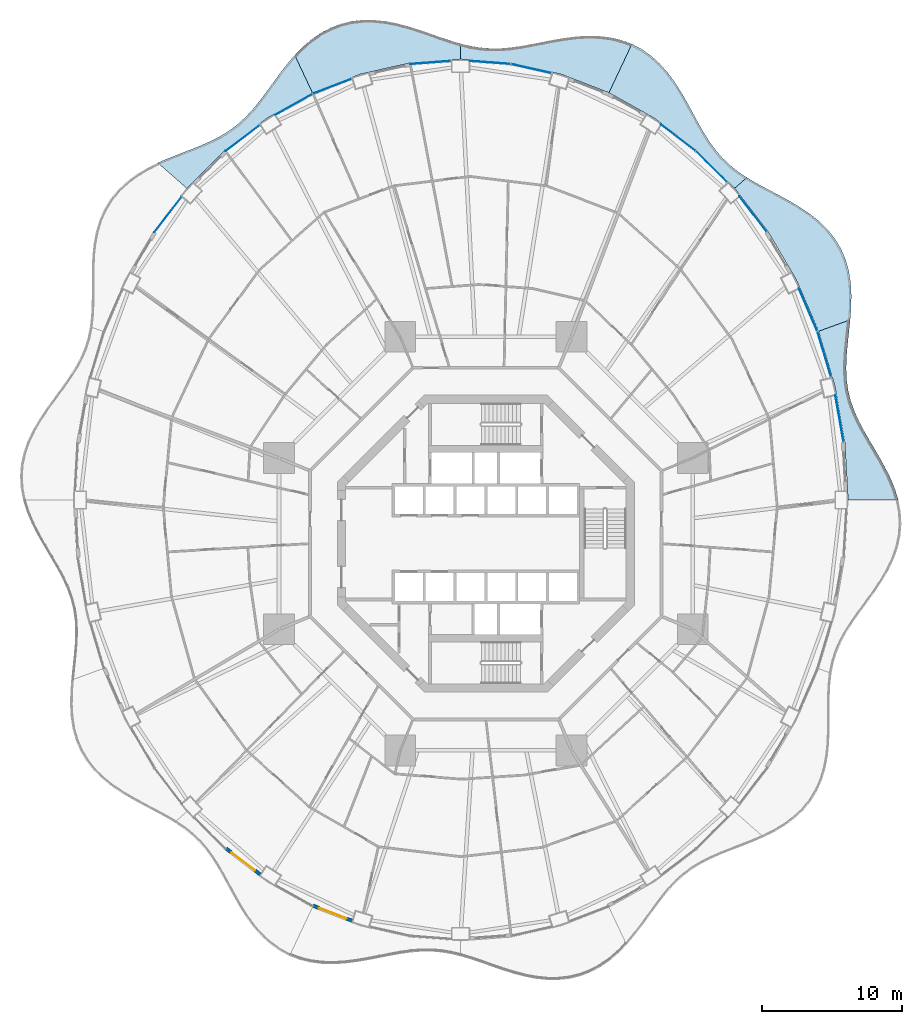
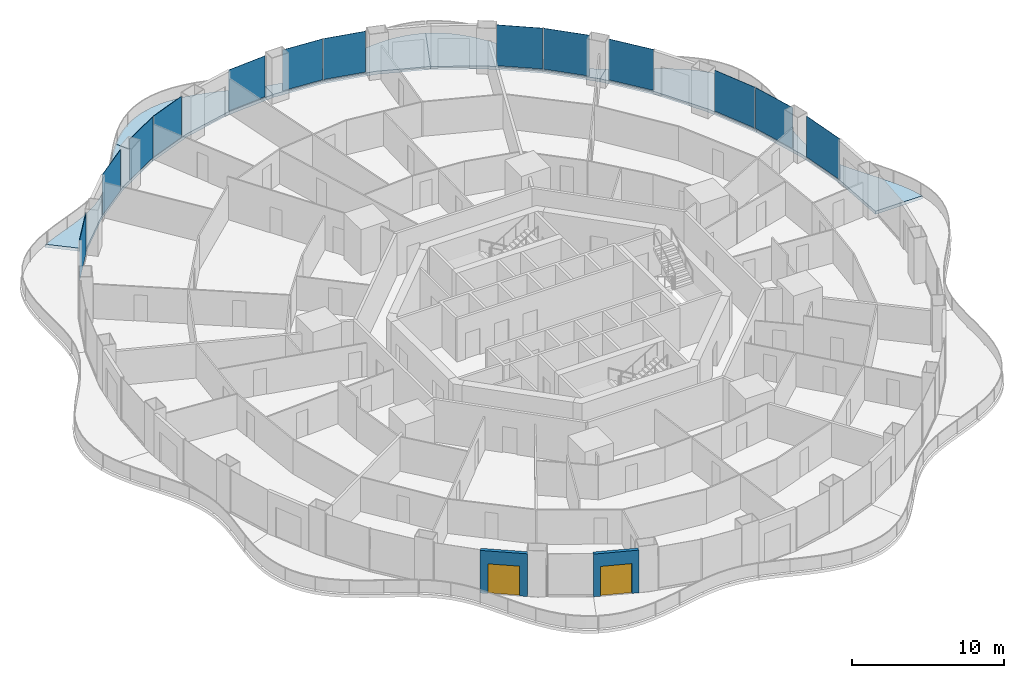
# One storey, part 13 of 22: 13 plates, 6 slabs, 2 doors, 2 walls, 2 openings, 13 elements without a shape of their own.
"""IFC4 building model written with IfcOpenShell, lengths in metres."""

from ifc_helpers import new_model, si_unit, direction, frame, frame_2d, origin, origin_2d, place, context, subcontext, project, spatial, polyline, rectangle, outline, extrude, material, layer, layer_set, type_object, element, fill, aggregate, save


model = new_model("IFC4")

# Units and contexts
model_context = context("Model", 3, precision=1e-05, world=origin(), true_north=direction((0.0, 1.0)))
body_context = subcontext(model_context, "Body", "Model", "MODEL_VIEW")
ifc_project = project(units=[si_unit("LENGTHUNIT", "METRE"), si_unit("AREAUNIT", "SQUARE_METRE"), si_unit("VOLUMEUNIT", "CUBIC_METRE"), si_unit("PLANEANGLEUNIT", "RADIAN"), si_unit("MASSUNIT", "GRAM", prefix="KILO")], contexts=[model_context])

# Site, building, storey
site_placement = place(None, origin())
site = spatial("IfcSite", under=ifc_project, at=site_placement, CompositionType="ELEMENT")
building_placement = place(site_placement, origin())
building = spatial("IfcBuilding", under=site, at=building_placement, Name="Nagisa Residences", CompositionType="ELEMENT")
storey_placement = place(building_placement, frame((0.0, 0.0, 88.10009765625)))
storey = spatial("IfcBuildingStorey", under=building, at=storey_placement, Name="L21", CompositionType="ELEMENT", Elevation=88.10009765625)

# Slabs
ifc_material_1 = material(Name="Concrete C40/50", Category="concrete")
ifc_layer_1 = layer(ifc_material_1, 0.25)
ifc_layer_set_1 = layer_set([ifc_layer_1], Name="BALCONY SLAB 250")
slab_type = type_object("IfcSlabType", Name="BALCONY SLAB 250", PredefinedType="FLOOR", material=ifc_layer_set_1)
slab_1_placement = place(storey_placement, frame((0.0, 0.0, -0.25)))
element("IfcSlab", 1, at=slab_1_placement, inside=storey, type_object=slab_type, Name="slab:L21:bal00", PredefinedType="FLOOR", context=body_context, shape_type="SweptSolid", body=[
    extrude(outline(polyline([(29.488525390625, 3.11767578125), (29.22265625, 3.958251953125), (28.873046875, 4.78466796875), (28.461669921875, 5.593505859375), (28.013916015625, 6.384033203125), (27.555908203125, 7.156982421875), (27.11376953125, 7.916015625), (26.7109375, 8.666015625), (26.366455078125, 9.413818359375), (26.094482421875, 10.166748046875), (25.902587890625, 10.931640625), (25.791748046875, 11.71533203125), (25.755859375, 12.5224609375), (25.782470703125, 13.355712890625), (25.854248046875, 14.21533203125), (25.94873046875, 15.098388671875), (26.0419921875, 15.998779296875), (23.786865234375, 15.177978515625), (24.951416015625, 11.2744140625), (25.657958984375, 7.231201171875), (25.89501953125, 3.11767578125), (29.488525390625, 3.11767578125)])), origin(), (0.0, 0.0, 1.0), 0.25),
])
slab_2_placement = place(storey_placement, frame((0.0, 0.0, -0.25)))
element("IfcSlab", 2, at=slab_2_placement, inside=storey, type_object=slab_type, Name="slab:L21:bal01", PredefinedType="FLOOR", context=body_context, shape_type="SweptSolid", body=[
    extrude(outline(polyline([(26.0419921875, 15.998779296875), (26.10693359375, 16.88037109375), (26.125, 17.7607421875), (26.076171875, 18.62939453125), (25.944580078125, 19.474853515625), (25.718505859375, 20.286376953125), (25.39208984375, 21.0537109375), (24.964599609375, 21.769775390625), (24.441650390625, 22.42919921875), (23.8330078125, 23.0302734375), (23.15380859375, 23.574951171875), (22.421630859375, 24.068603515625), (21.656494140625, 24.520263671875), (20.878662109375, 24.941650390625), (20.108154296875, 25.3466796875), (19.3623046875, 25.75048828125), (18.6552734375, 26.16845703125), (17.783203125, 25.402099609375), (20.171875, 22.302734375), (22.1845703125, 18.875244140625), (23.786865234375, 15.177978515625), (26.0419921875, 15.998779296875)])), origin(), (0.0, 0.0, 1.0), 0.25),
])
slab_3_placement = place(storey_placement, frame((0.0, 0.0, -0.25)))
element("IfcSlab", 3, at=slab_3_placement, inside=storey, type_object=slab_type, Name="slab:L21:bal02", PredefinedType="FLOOR", context=body_context, shape_type="SweptSolid", body=[
    extrude(outline(polyline([(18.6552734375, 26.16845703125), (18.02685546875, 26.593017578125), (17.44775390625, 27.0537109375), (16.918701171875, 27.55908203125), (16.43603515625, 28.113525390625), (15.9931640625, 28.718017578125), (15.57958984375, 29.3701171875), (15.183837890625, 30.062744140625), (14.79150390625, 30.78515625), (14.38916015625, 31.523681640625), (13.96337890625, 32.261962890625), (13.50244140625, 32.982177734375), (12.99658203125, 33.665771484375), (12.43896484375, 34.295654296875), (11.82666015625, 34.855224609375), (11.158935546875, 35.33154296875), (10.439453125, 35.71533203125), (8.79833984375, 32.233642578125), (12.047607421875, 30.410400390625), (15.0595703125, 28.1201171875), (17.783203125, 25.402099609375), (18.6552734375, 26.16845703125)])), origin(), (0.0, 0.0, 1.0), 0.25),
])
slab_4_placement = place(storey_placement, frame((0.0, 0.0, -0.25)))
element("IfcSlab", 4, at=slab_4_placement, inside=storey, type_object=slab_type, Name="slab:L21:bal03", PredefinedType="FLOOR", context=body_context, shape_type="SweptSolid", body=[
    extrude(outline(polyline([(10.439453125, 35.71533203125), (9.7021484375, 35.99267578125), (8.929443359375, 36.178955078125), (8.1298828125, 36.278076171875), (7.31298828125, 36.2978515625), (6.488525390625, 36.25), (5.6650390625, 36.1494140625), (4.85009765625, 36.012451171875), (4.0498046875, 35.857666015625), (3.26806640625, 35.703125), (2.506103515625, 35.566162109375), (1.763427734375, 35.46240234375), (1.037353515625, 35.404296875), (0.323974609375, 35.400390625), (-0.3828125, 35.455810546875), (-1.088623046875, 35.570068359375), (-1.800048828125, 35.739013671875), (-1.800048828125, 34.6328125), (1.81494140625, 34.363037109375), (5.367919921875, 33.558837890625), (8.79833984375, 32.233642578125), (10.439453125, 35.71533203125)])), origin(), (0.0, 0.0, 1.0), 0.25),
])
slab_5_placement = place(storey_placement, frame((0.0, 0.0, -0.25)))
element("IfcSlab", 5, at=slab_5_placement, inside=storey, type_object=slab_type, Name="slab:L21:bal04", PredefinedType="FLOOR", context=body_context, shape_type="SweptSolid", body=[
    extrude(outline(polyline([(-1.800048828125, 35.739013671875), (-2.52197265625, 35.9541015625), (-3.25927734375, 36.202392578125), (-4.01416015625, 36.468505859375), (-4.78759765625, 36.734619140625), (-5.578125, 36.982177734375), (-6.382080078125, 37.192138671875), (-7.194580078125, 37.3466796875), (-8.008056640625, 37.4306640625), (-8.814697265625, 37.431640625), (-9.606201171875, 37.3408203125), (-10.3740234375, 37.153564453125), (-11.111083984375, 36.869873046875), (-11.811279296875, 36.494140625), (-12.470458984375, 36.034912109375), (-13.08740234375, 35.503662109375), (-13.66259765625, 34.91552734375), (-12.3984375, 32.233642578125), (-8.968017578125, 33.558837890625), (-5.4150390625, 34.363037109375), (-1.800048828125, 34.6328125), (-1.800048828125, 35.739013671875)])), origin(), (0.0, 0.0, 1.0), 0.25),
])
slab_6_placement = place(storey_placement, frame((0.0, 0.0, -0.25)))
element("IfcSlab", 6, at=slab_6_placement, inside=storey, type_object=slab_type, Name="slab:L21:bal05", PredefinedType="FLOOR", context=body_context, shape_type="SweptSolid", body=[
    extrude(outline(polyline([(-13.66259765625, 34.91552734375), (-14.21923828125, 34.262939453125), (-14.74169921875, 33.586181640625), (-15.239501953125, 32.904541015625), (-15.723388671875, 32.236572265625), (-16.20556640625, 31.597412109375), (-16.698486328125, 30.999755859375), (-17.213134765625, 30.4521484375), (-17.759765625, 29.95849609375), (-18.345947265625, 29.51904296875), (-18.975341796875, 29.129150390625), (-19.649169921875, 28.781005859375), (-20.364013671875, 28.46337890625), (-21.11328125, 28.1630859375), (-21.886474609375, 27.865234375), (-22.670654296875, 27.55517578125), (-23.45068359375, 27.21875), (-21.38330078125, 25.402099609375), (-18.65966796875, 28.1201171875), (-15.6474609375, 30.410400390625), (-12.3984375, 32.233642578125), (-13.66259765625, 34.91552734375)])), origin(), (0.0, 0.0, 1.0), 0.25),
])

# Curtain wall, plate
ifc_material_2 = material(Name="Concrete-coloured aluminium curtain wall system", Category="concrete")
ifc_layer_2 = layer(ifc_material_2, 0.159912109375)
ifc_layer_set_2 = layer_set([ifc_layer_2], Name="CW1 CURTAIN WALL")
curtain_wall_type = type_object("IfcCurtainWallType", Name="CW1 CURTAIN WALL", PredefinedType="NOTDEFINED", material=ifc_layer_set_2)
curtain_wall_1_placement = place(storey_placement, origin())
curtain_wall_1 = element("IfcCurtainWall", 7, at=curtain_wall_1_placement, inside=storey, type_object=curtain_wall_type, Name="cw:CW1:L21:01", PredefinedType="NOTDEFINED")
ifc_material_3 = material(Name="Clear laminated glass", Category="glass")
ifc_layer_3 = layer(ifc_material_3, 0.028076171875)
ifc_layer_set_3 = layer_set([ifc_layer_3], Name="CW1 GLASS PANEL")
plate_type = type_object("IfcPlateType", Name="CW1 GLASS PANEL", PredefinedType="CURTAIN_PANEL", material=ifc_layer_set_3)
plate_1_placement = place(storey_placement, frame((25.276611328125, 8.948486328125, 0.14990234375), z_axis=(0.0, 0.0, 1.0), x_axis=(-0.172190868898, 0.985063604377, 0.0)))
plate_1 = element("IfcPlate", 8, at=plate_1_placement, type_object=plate_type, Name="CW1 panel", PredefinedType="CURTAIN_PANEL", context=body_context, shape_type="SweptSolid", body=[
    extrude(rectangle(XDim=3.39453125, YDim=0.028076171875, at=origin_2d()), origin(), (0.0, 0.0, 1.0), 3.2900390625),
])
aggregate(curtain_wall_1, [plate_1])

curtain_wall_2_placement = place(storey_placement, origin())
curtain_wall_2 = element("IfcCurtainWall", 9, at=curtain_wall_2_placement, inside=storey, type_object=curtain_wall_type, Name="cw:CW1:L21:02", PredefinedType="NOTDEFINED")
plate_2_placement = place(storey_placement, frame((24.19091796875, 13.54345703125, 0.14990234375), z_axis=(0.0, 0.0, 1.0), x_axis=(-0.285860274038, 0.958271310082, 0.0)))
plate_2 = element("IfcPlate", 10, at=plate_2_placement, type_object=plate_type, Name="CW1 panel", PredefinedType="CURTAIN_PANEL", context=body_context, shape_type="SweptSolid", body=[
    extrude(rectangle(XDim=3.363525390625, YDim=0.028076171875, at=origin_2d()), origin(), (0.0, 0.0, 1.0), 3.2900390625),
])
aggregate(curtain_wall_2, [plate_2])

curtain_wall_3_placement = place(storey_placement, origin())
curtain_wall_3 = element("IfcCurtainWall", 11, at=curtain_wall_3_placement, inside=storey, type_object=curtain_wall_type, Name="cw:CW1:L21:03", PredefinedType="NOTDEFINED")
plate_3_placement = place(storey_placement, frame((23.029541015625, 16.72412109375, 0.14990234375), z_axis=(0.0, 0.0, 1.0), x_axis=(-0.397635934147, 0.917543276295, 0.0)))
plate_3 = element("IfcPlate", 12, at=plate_3_placement, type_object=plate_type, Name="CW1 panel", PredefinedType="CURTAIN_PANEL", context=body_context, shape_type="SweptSolid", body=[
    extrude(rectangle(XDim=3.319580078125, YDim=0.028076171875, at=origin_2d()), origin(), (0.0, 0.0, 1.0), 3.2900390625),
])
aggregate(curtain_wall_3, [plate_3])

curtain_wall_4_placement = place(storey_placement, origin())
curtain_wall_4 = element("IfcCurtainWall", 13, at=curtain_wall_4_placement, inside=storey, type_object=curtain_wall_type, Name="cw:CW1:L21:05", PredefinedType="NOTDEFINED")
plate_4_placement = place(storey_placement, frame((19.09423828125, 23.570068359375, 0.14990234375), z_axis=(0.0, 0.0, 1.0), x_axis=(-0.610429828235, 0.792070340816, 0.0)))
plate_4 = element("IfcPlate", 14, at=plate_4_placement, type_object=plate_type, Name="CW1 panel", PredefinedType="CURTAIN_PANEL", context=body_context, shape_type="SweptSolid", body=[
    extrude(rectangle(XDim=3.202880859375, YDim=0.028076171875, at=origin_2d()), origin(), (0.0, 0.0, 1.0), 3.2900390625),
])
aggregate(curtain_wall_4, [plate_4])

curtain_wall_5_placement = place(storey_placement, origin())
curtain_wall_5 = element("IfcCurtainWall", 15, at=curtain_wall_5_placement, inside=storey, type_object=curtain_wall_type, Name="cw:CW1:L21:06", PredefinedType="NOTDEFINED")
plate_5_placement = place(storey_placement, frame((16.11376953125, 26.955322265625, 0.14990234375), z_axis=(0.0, 0.0, 1.0), x_axis=(-0.707835924016, 0.706376885714, 0.0)))
plate_5 = element("IfcPlate", 16, at=plate_5_placement, type_object=plate_type, Name="CW1 panel", PredefinedType="CURTAIN_PANEL", context=body_context, shape_type="SweptSolid", body=[
    extrude(rectangle(XDim=3.137939453125, YDim=0.028076171875, at=origin_2d()), origin(), (0.0, 0.0, 1.0), 3.2900390625),
])
aggregate(curtain_wall_5, [plate_5])

curtain_wall_6_placement = place(storey_placement, origin())
curtain_wall_6 = element("IfcCurtainWall", 17, at=curtain_wall_6_placement, inside=storey, type_object=curtain_wall_type, Name="cw:CW1:L21:07", PredefinedType="NOTDEFINED")
plate_6_placement = place(storey_placement, frame((13.739990234375, 29.023193359375, 0.14990234375), z_axis=(0.0, 0.0, 1.0), x_axis=(-0.79603132756, 0.605255421737, 0.0)))
plate_6 = element("IfcPlate", 18, at=plate_6_placement, type_object=plate_type, Name="CW1 panel", PredefinedType="CURTAIN_PANEL", context=body_context, shape_type="SweptSolid", body=[
    extrude(rectangle(XDim=3.073974609375, YDim=0.028076171875, at=origin_2d()), origin(), (0.0, 0.0, 1.0), 3.2900390625),
])
aggregate(curtain_wall_6, [plate_6])

curtain_wall_7_placement = place(storey_placement, origin())
curtain_wall_7 = element("IfcCurtainWall", 19, at=curtain_wall_7_placement, inside=storey, type_object=curtain_wall_type, Name="cw:CW1:L21:10", PredefinedType="NOTDEFINED")
plate_7_placement = place(storey_placement, frame((3.2275390625, 33.96142578125, 0.14990234375), z_axis=(0.0, 0.0, 1.0), x_axis=(-0.975327274089, 0.2207639201, 0.0)))
plate_7 = element("IfcPlate", 20, at=plate_7_placement, type_object=plate_type, Name="CW1 panel", PredefinedType="CURTAIN_PANEL", context=body_context, shape_type="SweptSolid", body=[
    extrude(rectangle(XDim=2.932861328125, YDim=0.028076171875, at=origin_2d()), origin(), (0.0, 0.0, 1.0), 3.2900390625),
])
aggregate(curtain_wall_7, [plate_7])

curtain_wall_8_placement = place(storey_placement, origin())
curtain_wall_8 = element("IfcCurtainWall", 21, at=curtain_wall_8_placement, inside=storey, type_object=curtain_wall_type, Name="cw:CW1:L21:11", PredefinedType="NOTDEFINED")
plate_8_placement = place(storey_placement, frame((0.295654296875, 34.396240234375, 0.14990234375), z_axis=(0.0, 0.0, 1.0), x_axis=(-0.997230168512, 0.074377355493, 0.0)))
plate_8 = element("IfcPlate", 22, at=plate_8_placement, type_object=plate_type, Name="CW1 panel", PredefinedType="CURTAIN_PANEL", context=body_context, shape_type="SweptSolid", body=[
    extrude(rectangle(XDim=2.9150390625, YDim=0.028076171875, at=origin_2d()), origin(), (0.0, 0.0, 1.0), 3.2900390625),
])
aggregate(curtain_wall_8, [plate_8])

curtain_wall_9_placement = place(storey_placement, origin())
curtain_wall_9 = element("IfcCurtainWall", 23, at=curtain_wall_9_placement, inside=storey, type_object=curtain_wall_type, Name="cw:CW1:L21:12", PredefinedType="NOTDEFINED")
plate_9_placement = place(storey_placement, frame((-3.95556640625, 34.3916015625, 0.14990234375), z_axis=(0.0, 0.0, 1.0), x_axis=(-0.997230168512, -0.074377355493, 0.0)))
plate_9 = element("IfcPlate", 24, at=plate_9_placement, type_object=plate_type, Name="CW1 panel", PredefinedType="CURTAIN_PANEL", context=body_context, shape_type="SweptSolid", body=[
    extrude(rectangle(XDim=2.9150390625, YDim=0.028076171875, at=origin_2d()), origin(), (0.0, 0.0, 1.0), 3.2900390625),
])
aggregate(curtain_wall_9, [plate_9])

curtain_wall_10_placement = place(storey_placement, origin())
curtain_wall_10 = element("IfcCurtainWall", 25, at=curtain_wall_10_placement, inside=storey, type_object=curtain_wall_type, Name="cw:CW1:L21:14", PredefinedType="NOTDEFINED")
plate_10_placement = place(storey_placement, frame((-10.985595703125, 32.69384765625, 0.14990234375), z_axis=(0.0, 0.0, 1.0), x_axis=(-0.932825759707, -0.360327770268, 0.0)))
plate_10 = element("IfcPlate", 26, at=plate_10_placement, type_object=plate_type, Name="CW1 panel", PredefinedType="CURTAIN_PANEL", context=body_context, shape_type="SweptSolid", body=[
    extrude(rectangle(XDim=2.967529296875, YDim=0.028076171875, at=origin_2d()), origin(), (0.0, 0.0, 1.0), 3.2900390625),
])
aggregate(curtain_wall_10, [plate_10])

curtain_wall_11_placement = place(storey_placement, origin())
curtain_wall_11 = element("IfcCurtainWall", 27, at=curtain_wall_11_placement, inside=storey, type_object=curtain_wall_type, Name="cw:CW1:L21:15", PredefinedType="NOTDEFINED")
plate_11_placement = place(storey_placement, frame((-13.7265625, 31.396728515625, 0.14990234375), z_axis=(0.0, 0.0, 1.0), x_axis=(-0.872072377523, -0.489376918501, 0.0)))
plate_11 = element("IfcPlate", 28, at=plate_11_placement, type_object=plate_type, Name="CW1 panel", PredefinedType="CURTAIN_PANEL", context=body_context, shape_type="SweptSolid", body=[
    extrude(rectangle(XDim=3.015625, YDim=0.028076171875, at=origin_2d()), origin(), (0.0, 0.0, 1.0), 3.2900390625),
])
aggregate(curtain_wall_11, [plate_11])

curtain_wall_12_placement = place(storey_placement, origin())
curtain_wall_12 = element("IfcCurtainWall", 29, at=curtain_wall_12_placement, inside=storey, type_object=curtain_wall_type, Name="cw:CW1:L21:16", PredefinedType="NOTDEFINED")
plate_12_placement = place(storey_placement, frame((-17.3876953125, 28.98681640625, 0.14990234375), z_axis=(0.0, 0.0, 1.0), x_axis=(-0.79603132756, -0.605255421737, 0.0)))
plate_12 = element("IfcPlate", 30, at=plate_12_placement, type_object=plate_type, Name="CW1 panel", PredefinedType="CURTAIN_PANEL", context=body_context, shape_type="SweptSolid", body=[
    extrude(rectangle(XDim=3.073974609375, YDim=0.028076171875, at=origin_2d()), origin(), (0.0, 0.0, 1.0), 3.2900390625),
])
aggregate(curtain_wall_12, [plate_12])

curtain_wall_13_placement = place(storey_placement, origin())
curtain_wall_13 = element("IfcCurtainWall", 31, at=curtain_wall_13_placement, inside=storey, type_object=curtain_wall_type, Name="cw:CW1:L21:18", PredefinedType="NOTDEFINED")
plate_13_placement = place(storey_placement, frame((-22.73095703125, 23.5224609375, 0.14990234375), z_axis=(0.0, 0.0, 1.0), x_axis=(-0.610429828235, -0.792070340816, 0.0)))
plate_13 = element("IfcPlate", 32, at=plate_13_placement, type_object=plate_type, Name="CW1 panel", PredefinedType="CURTAIN_PANEL", context=body_context, shape_type="SweptSolid", body=[
    extrude(rectangle(XDim=3.202880859375, YDim=0.028076171875, at=origin_2d()), origin(), (0.0, 0.0, 1.0), 3.2900390625),
])
aggregate(curtain_wall_13, [plate_13])

# Wall, opening, door
ifc_material_4 = material(Name="Precast concrete C40/50", Category="concrete")
ifc_layer_4 = layer(ifc_material_4, 0.25)
ifc_layer_set_4 = layer_set([ifc_layer_4], Name="BALCONY DOOR WALL 250")
wall_type = type_object("IfcWallType", Name="BALCONY DOOR WALL 250", PredefinedType="SOLIDWALL", material=ifc_layer_set_4)
wall_1_placement = place(storey_placement, frame((-16.08935546875, -23.68212890625, 0.0), z_axis=(0.0, 0.0, 1.0), x_axis=(-0.796037575978, 0.605247203736, 0.0)))
wall_1 = element("IfcWall", 33, at=wall_1_placement, inside=storey, type_object=wall_type, Name="wall:L21:bay31", PredefinedType="SOLIDWALL", context=body_context, shape_type="SweptSolid", body=[
    extrude(rectangle(XDim=3.1337890625, YDim=0.25, at=frame_2d((1.56689453125, 0.0))), origin(), (0.0, 0.0, 1.0), 3.43994140625),
])
opening_1_placement = place(wall_1_placement, frame((0.51708984375, 0.0, 0.0)))
opening_1 = element("IfcOpeningElement", 34, at=opening_1_placement, cuts=wall_1, Name="Opening BD-L21-11", PredefinedType="OPENING", context=body_context, shape_type="SweptSolid", body=[
    extrude(rectangle(XDim=2.10009765625, YDim=2.39990234375, at=frame_2d((1.050048828125, 1.199951171875))), frame((0.0, 0.135009765625, 0.0), z_axis=(0.0, -1.0, 0.0), x_axis=(1.0, 0.0, 0.0)), (0.0, 0.0, 1.0), 0.27001953125),
])
ifc_material_5 = material(Name="Aluminium and clear glass", Category="aluminium")
door_type = type_object("IfcDoorType", Name="BALCONY SLIDING DOOR 2100x2400", OperationType="SLIDING_TO_LEFT", PredefinedType="DOOR", material=ifc_material_5)
door_1_placement = place(opening_1_placement, origin())
door_1 = element("IfcDoor", 35, at=door_1_placement, inside=storey, type_object=door_type, Name="door:L21:bay31", OperationType="SLIDING_TO_LEFT", OverallHeight=2.39990234375, OverallWidth=2.10009765625, PredefinedType="DOOR", context=body_context, shape_type="SweptSolid", body=[
    extrude(rectangle(XDim=2.10009765625, YDim=2.39990234375, at=frame_2d((1.050048828125, 1.199951171875))), frame((0.0, 0.02490234375, 0.0), z_axis=(0.0, -1.0, 0.0), x_axis=(1.0, 0.0, 0.0)), (0.0, 0.0, 1.0), 0.050048828125),
])
fill(opening_1, door_1)

wall_2_placement = place(storey_placement, frame((-9.529296875, -26.97265625, 0.0), z_axis=(0.0, 0.0, 1.0), x_axis=(-0.932827091302, 0.360324322982, 0.0)))
wall_2 = element("IfcWall", 36, at=wall_2_placement, inside=storey, type_object=wall_type, Name="wall:L21:bay33", PredefinedType="SOLIDWALL", context=body_context, shape_type="SweptSolid", body=[
    extrude(rectangle(XDim=3.02734375, YDim=0.25, at=frame_2d((1.513671875, 0.0))), origin(), (0.0, 0.0, 1.0), 3.43994140625),
])
opening_2_placement = place(wall_2_placement, frame((0.463623046875, 0.0, 0.0)))
opening_2 = element("IfcOpeningElement", 37, at=opening_2_placement, cuts=wall_2, Name="Opening BD-L21-12", PredefinedType="OPENING", context=body_context, shape_type="SweptSolid", body=[
    extrude(rectangle(XDim=2.10009765625, YDim=2.39990234375, at=frame_2d((1.050048828125, 1.199951171875))), frame((0.0, 0.135009765625, 0.0), z_axis=(0.0, -1.0, 0.0), x_axis=(1.0, 0.0, 0.0)), (0.0, 0.0, 1.0), 0.27001953125),
])
door_2_placement = place(opening_2_placement, origin())
door_2 = element("IfcDoor", 38, at=door_2_placement, inside=storey, type_object=door_type, Name="door:L21:bay33", OperationType="SLIDING_TO_LEFT", OverallHeight=2.39990234375, OverallWidth=2.10009765625, PredefinedType="DOOR", context=body_context, shape_type="SweptSolid", body=[
    extrude(rectangle(XDim=2.10009765625, YDim=2.39990234375, at=frame_2d((1.050048828125, 1.199951171875))), frame((0.0, 0.02490234375, 0.0), z_axis=(0.0, -1.0, 0.0), x_axis=(1.0, 0.0, 0.0)), (0.0, 0.0, 1.0), 0.050048828125),
])
fill(opening_2, door_2)

save(model, "model.ifc")
